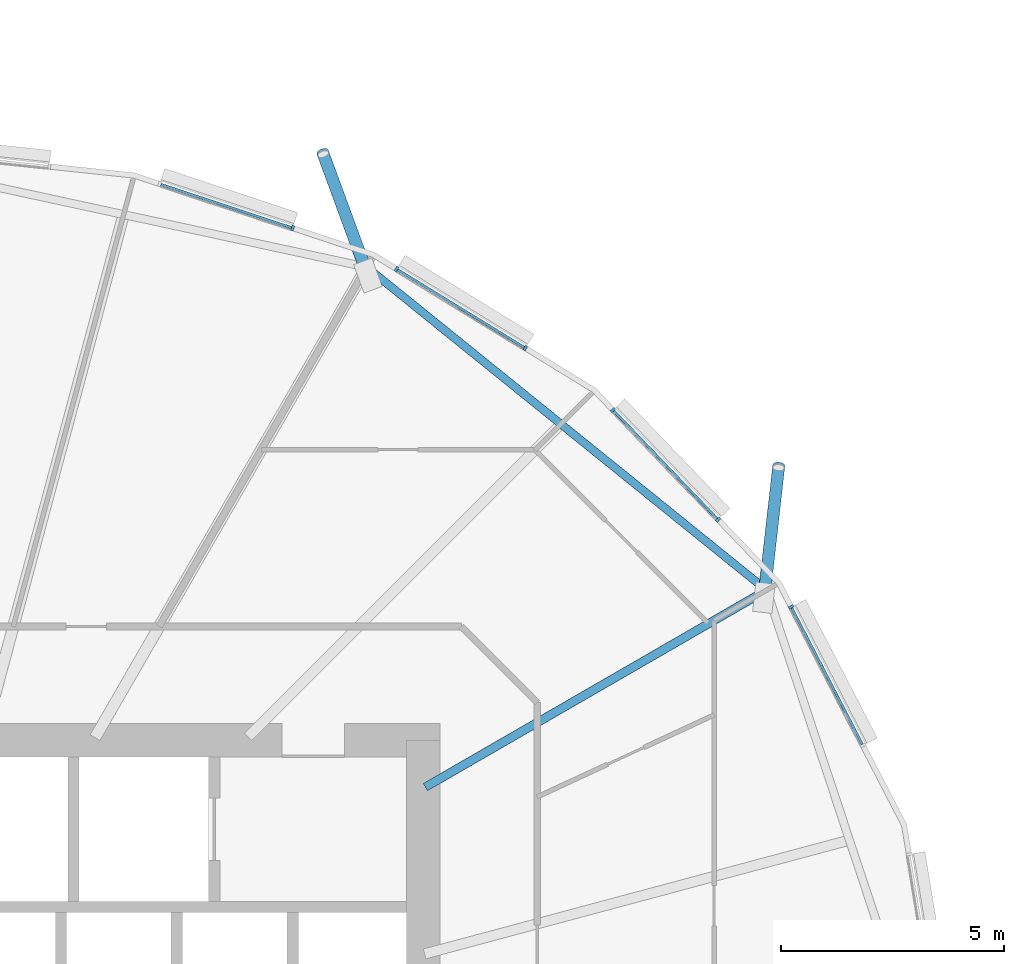
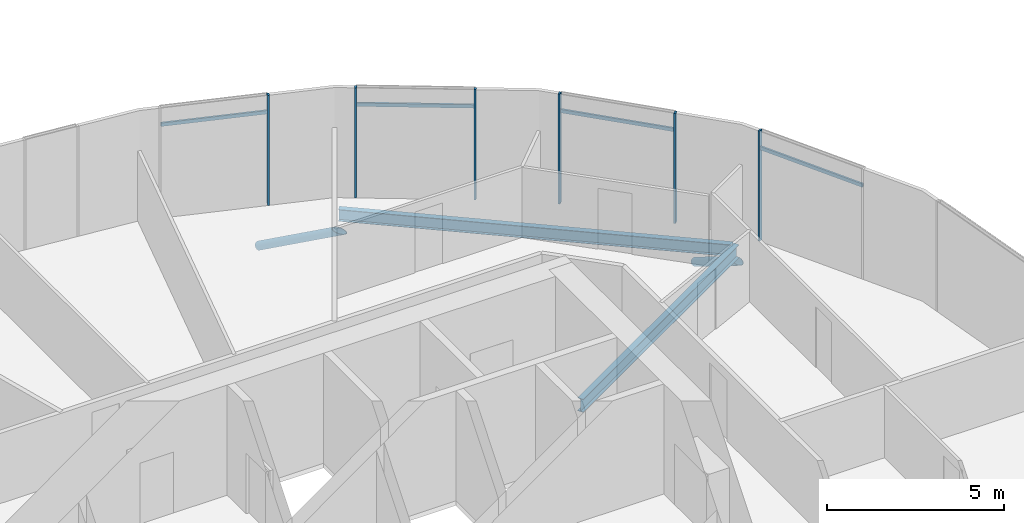
# One storey, part 11 of 42: 12 members, 2 beams, 1 element without a shape of its own.
"""IFC4 building model written with IfcOpenShell, lengths in metres."""

from ifc_helpers import new_model, si_unit, direction, frame, origin, origin_2d, place, context, subcontext, project, spatial, rectangle, hollow_circle, i_section, extrude, clip, halfspace, material, material_profile, profile_set, type_object, element, aggregate, save


model = new_model("IFC4")

# Units and contexts
model_context = context("Model", 3, precision=1e-05, world=origin(), true_north=direction((0.0, 1.0)))
body_context = subcontext(model_context, "Body", "Model", "MODEL_VIEW")
ifc_project = project(units=[si_unit("LENGTHUNIT", "METRE"), si_unit("AREAUNIT", "SQUARE_METRE"), si_unit("VOLUMEUNIT", "CUBIC_METRE"), si_unit("PLANEANGLEUNIT", "RADIAN"), si_unit("MASSUNIT", "GRAM", prefix="KILO")], contexts=[model_context])

# Site, building, storey
site_placement = place(None, origin())
site = spatial("IfcSite", under=ifc_project, at=site_placement, CompositionType="ELEMENT")
building_placement = place(site_placement, origin())
building = spatial("IfcBuilding", under=site, at=building_placement, Name="Rimbun Link Towers", CompositionType="ELEMENT")
storey_placement = place(building_placement, frame((0.0, 0.0, 85.39990234375)))
storey = spatial("IfcBuildingStorey", under=building, at=storey_placement, Name="L20", CompositionType="ELEMENT", Elevation=85.39990234375)

# Curtain wall, members
ifc_material_1 = material(Name="Aluminium 6063-T6 and low-iron glass", Category="aluminium")
curtain_wall_type = type_object("IfcCurtainWallType", Name="CW1-Z2 unitised vision wall (zone 2)", PredefinedType="NOTDEFINED", material=ifc_material_1)
curtain_wall_placement = place(storey_placement, origin())
curtain_wall = element("IfcCurtainWall", 1, at=curtain_wall_placement, inside=storey, type_object=curtain_wall_type, Name="CW1 L20 T1", PredefinedType="NOTDEFINED")
ifc_material_2 = material(Name="Aluminium 6063-T6", Category="aluminium")
ifc_material_profile_1 = material_profile(ifc_material_2, rectangle(XDim=0.1201171875, YDim=0.06005859375, at=origin_2d()), Name="MULLION 60X120")
ifc_profile_set_1 = profile_set([ifc_material_profile_1], Name="Aluminium 6063-T6")
member_type_1 = type_object("IfcMemberType", Name="CW1 mullion 60X120", PredefinedType="MULLION", material=ifc_profile_set_1)
member_1_placement = place(storey_placement, frame((-11.514404296875, 10.98779296875, 0.0), z_axis=(0.0, 0.0, 1.0), x_axis=(0.888154791602, 0.459544411514, 0.0)))
member_1 = element("IfcMember", 2, at=member_1_placement, type_object=member_type_1, Name="CW1 mullion", PredefinedType="MULLION", context=body_context, shape_type="SweptSolid", body=[
    extrude(rectangle(XDim=0.1201171875, YDim=0.06005859375, at=origin_2d()), origin(), (0.0, 0.0, 1.0), 3.800048828125),
])
member_2_placement = place(storey_placement, frame((-15.5029296875, 15.39697265625, 0.0), z_axis=(0.0, 0.0, 1.0), x_axis=(0.721839179549, 0.692060834658, 0.0)))
member_2 = element("IfcMember", 3, at=member_2_placement, type_object=member_type_1, Name="CW1 mullion", PredefinedType="MULLION", context=body_context, shape_type="SweptSolid", body=[
    extrude(rectangle(XDim=0.1201171875, YDim=0.06005859375, at=origin_2d()), origin(), (0.0, 0.0, 1.0), 3.800048828125),
])
member_3_placement = place(storey_placement, frame((-13.1494140625, 12.942138671875, 0.0), z_axis=(0.0, 0.0, 1.0), x_axis=(0.721839179549, 0.692060834658, 0.0)))
member_3 = element("IfcMember", 4, at=member_3_placement, type_object=member_type_1, Name="CW1 mullion", PredefinedType="MULLION", context=body_context, shape_type="SweptSolid", body=[
    extrude(rectangle(XDim=0.1201171875, YDim=0.06005859375, at=origin_2d()), origin(), (0.0, 0.0, 1.0), 3.800048828125),
])
member_4_placement = place(storey_placement, frame((-20.345458984375, 18.550537109375, 0.0), z_axis=(0.0, 0.0, 1.0), x_axis=(0.523237248968, 0.852187057689, 0.0)))
member_4 = element("IfcMember", 5, at=member_4_placement, type_object=member_type_1, Name="CW1 mullion", PredefinedType="MULLION", context=body_context, shape_type="SweptSolid", body=[
    extrude(rectangle(XDim=0.1201171875, YDim=0.06005859375, at=origin_2d()), origin(), (0.0, 0.0, 1.0), 3.800048828125),
])
member_5_placement = place(storey_placement, frame((-17.464111328125, 16.781494140625, 0.0), z_axis=(0.0, 0.0, 1.0), x_axis=(0.523237248968, 0.852187057689, 0.0)))
member_5 = element("IfcMember", 6, at=member_5_placement, type_object=member_type_1, Name="CW1 mullion", PredefinedType="MULLION", context=body_context, shape_type="SweptSolid", body=[
    extrude(rectangle(XDim=0.1201171875, YDim=0.06005859375, at=origin_2d()), origin(), (0.0, 0.0, 1.0), 3.800048828125),
])
member_6_placement = place(storey_placement, frame((-22.6728515625, 19.468017578125, 0.0), z_axis=(0.0, 0.0, 1.0), x_axis=(0.314576015911, 0.949232284646, 0.0)))
member_6 = element("IfcMember", 7, at=member_6_placement, type_object=member_type_1, Name="CW1 mullion", PredefinedType="MULLION", context=body_context, shape_type="SweptSolid", body=[
    extrude(rectangle(XDim=0.1201171875, YDim=0.06005859375, at=origin_2d()), origin(), (0.0, 0.0, 1.0), 3.800048828125),
])
ifc_material_3 = material(Name="Aluminium 6063-T6", Category="aluminium")
ifc_material_profile_2 = material_profile(ifc_material_3, rectangle(XDim=0.06005859375, YDim=0.1201171875, at=origin_2d()), Name="TRANSOM 60X120")
ifc_profile_set_2 = profile_set([ifc_material_profile_2], Name="Aluminium 6063-T6")
member_type_2 = type_object("IfcMemberType", Name="CW1 transom 60X120", PredefinedType="USERDEFINED", material=ifc_profile_set_2)
member_7_placement = place(storey_placement, frame((-11.502197265625, 10.960205078125, 3.2001953125), z_axis=(0.459554574482, -0.888149533059, 0.0), x_axis=(0.888149533059, 0.459554574482, 0.0)))
member_7 = element("IfcMember", 8, at=member_7_placement, type_object=member_type_2, Name="CW1 transom", ObjectType="TRANSOM", PredefinedType="USERDEFINED", context=body_context, shape_type="SweptSolid", body=[
    extrude(rectangle(XDim=0.06005859375, YDim=0.1201171875, at=origin_2d()), origin(), (0.0, 0.0, 1.0), 3.430419921875),
])
member_8_placement = place(storey_placement, frame((-15.483642578125, 15.373779296875, 3.2001953125), z_axis=(0.692078357172, -0.721822379491, 0.0), x_axis=(0.721822379491, 0.692078357172, 0.0)))
member_8 = element("IfcMember", 9, at=member_8_placement, type_object=member_type_2, Name="CW1 transom", ObjectType="TRANSOM", PredefinedType="USERDEFINED", context=body_context, shape_type="SweptSolid", body=[
    extrude(rectangle(XDim=0.06005859375, YDim=0.1201171875, at=origin_2d()), origin(), (0.0, 0.0, 1.0), 3.340576171875),
])
member_9_placement = place(storey_placement, frame((-20.32080078125, 18.533203125, 3.2001953125), z_axis=(0.852167775137, -0.523268652814, 0.0), x_axis=(0.523268652814, 0.852167775137, 0.0)))
member_9 = element("IfcMember", 10, at=member_9_placement, type_object=member_type_2, Name="CW1 transom", ObjectType="TRANSOM", PredefinedType="USERDEFINED", context=body_context, shape_type="SweptSolid", body=[
    extrude(rectangle(XDim=0.06005859375, YDim=0.1201171875, at=origin_2d()), origin(), (0.0, 0.0, 1.0), 3.321044921875),
])
member_10_placement = place(storey_placement, frame((-25.617919921875, 20.44189453125, 3.2001953125), z_axis=(0.949238148414, -0.314558321452, 0.0), x_axis=(0.314558321452, 0.949238148414, 0.0)))
member_10 = element("IfcMember", 11, at=member_10_placement, type_object=member_type_2, Name="CW1 transom", ObjectType="TRANSOM", PredefinedType="USERDEFINED", context=body_context, shape_type="SweptSolid", body=[
    extrude(rectangle(XDim=0.06005859375, YDim=0.1201171875, at=origin_2d()), origin(), (0.0, 0.0, 1.0), 3.072021484375),
])
aggregate(curtain_wall, [member_1, member_2, member_3, member_4, member_5, member_6, member_7, member_8, member_9, member_10])

# Members
ifc_material_4 = material(Name="Steel S355J2H", Category="steel")
ifc_material_profile_3 = material_profile(ifc_material_4, hollow_circle(Radius=0.136474609375, WallThickness=0.012451171875, at=origin_2d()), Name="CHS 273x12.5")
ifc_profile_set_3 = profile_set([ifc_material_profile_3], Name="Steel S355J2H")
member_type_3 = type_object("IfcMemberType", Name="Floor edge link CHS 273x12.5", PredefinedType="BRACE", material=ifc_profile_set_3)
member_11_placement = place(storey_placement, frame((-12.109619140625, 11.33935546875, -0.727783203125), z_axis=(0.093828002495, 0.832669307195, -0.545763804959), x_axis=(-0.993711054176, 0.111974732904, 0.0)))
element("IfcMember", 12, at=member_11_placement, inside=storey, type_object=member_type_3, Name="Floor edge link T1 L20 02", PredefinedType="BRACE", context=body_context, shape_type="Clipping", body=[
    clip(extrude(hollow_circle(Radius=0.136474609375, WallThickness=0.012451171875, at=origin_2d()), frame((0.0, 0.0, -0.4375)), (0.0, 0.0, 1.0), 3.81494140625), halfspace(frame((0.0, 0.0, -0.2060546875), z_axis=(0.0, 0.837939060551, -0.545763804959)), False)),
])
member_12_placement = place(storey_placement, frame((-21.040771484375, 18.549072265625, -0.95947265625), z_axis=(-0.292728967003, 0.797121206386, -0.528116970195), x_axis=(-0.938704466181, -0.344722968734, 0.0)))
element("IfcMember", 13, at=member_12_placement, inside=storey, type_object=member_type_3, Name="Floor edge link T1 L20 04", PredefinedType="BRACE", context=body_context, shape_type="Clipping", body=[
    clip(extrude(hollow_circle(Radius=0.136474609375, WallThickness=0.012451171875, at=origin_2d()), frame((0.0, 0.0, -0.4580078125)), (0.0, 0.0, 1.0), 3.740478515625), halfspace(frame((0.0, 0.0, -0.216064453125), z_axis=(0.0, 0.849171635061, -0.528116970195)), False)),
])

# Beams
ifc_material_5 = material(Name="Steel S355J2", Category="steel")
ifc_material_profile_4 = material_profile(ifc_material_5, i_section(OverallWidth=0.177978515625, OverallDepth=0.406494140625, WebThickness=0.0078125, FlangeThickness=0.0126953125, at=origin_2d()), Name="UB 406x178x60")
ifc_profile_set_4 = profile_set([ifc_material_profile_4], Name="Steel S355J2")
beam_type_1 = type_object("IfcBeamType", Name="UB 406x178x60", PredefinedType="BEAM", material=ifc_profile_set_4)
beam_1_placement = place(storey_placement, frame((-12.146240234375, 11.428955078125, -0.363037109375), z_axis=(-0.777961133356, 0.628312402383, 0.0), x_axis=(-0.628312402383, -0.777961133356, 0.0)))
element("IfcBeam", 14, at=beam_1_placement, inside=storey, type_object=beam_type_1, Name="Edge beam T1 L20 02-04", PredefinedType="BEAM", context=body_context, shape_type="SweptSolid", body=[
    extrude(i_section(OverallWidth=0.177978515625, OverallDepth=0.406494140625, WebThickness=0.0078125, FlangeThickness=0.0126953125, at=origin_2d()), origin(), (0.0, 0.0, 1.0), 11.271484375),
])
ifc_material_6 = material(Name="Steel S355J2", Category="steel")
ifc_material_profile_5 = material_profile(ifc_material_6, i_section(OverallWidth=0.18994140625, OverallDepth=0.453369140625, WebThickness=0.008544921875, FlangeThickness=0.0126953125, at=origin_2d()), Name="UB 457x191x67")
ifc_profile_set_5 = profile_set([ifc_material_profile_5], Name="Steel S355J2")
beam_type_2 = type_object("IfcBeamType", Name="UB 457x191x67", PredefinedType="BEAM", material=ifc_profile_set_5)
beam_2_placement = place(storey_placement, frame((-19.70166015625, 6.9560546875, -0.38671875), z_axis=(0.866014040261, 0.500019681684, 0.0), x_axis=(-0.500019681684, 0.866014040261, 0.0)))
element("IfcBeam", 15, at=beam_2_placement, inside=storey, type_object=beam_type_2, Name="Radial beam T1 L20 02", PredefinedType="BEAM", context=body_context, shape_type="SweptSolid", body=[
    extrude(i_section(OverallWidth=0.18994140625, OverallDepth=0.453369140625, WebThickness=0.008544921875, FlangeThickness=0.0126953125, at=origin_2d()), origin(), (0.0, 0.0, 1.0), 8.816650390625),
])

save(model, "model.ifc")
